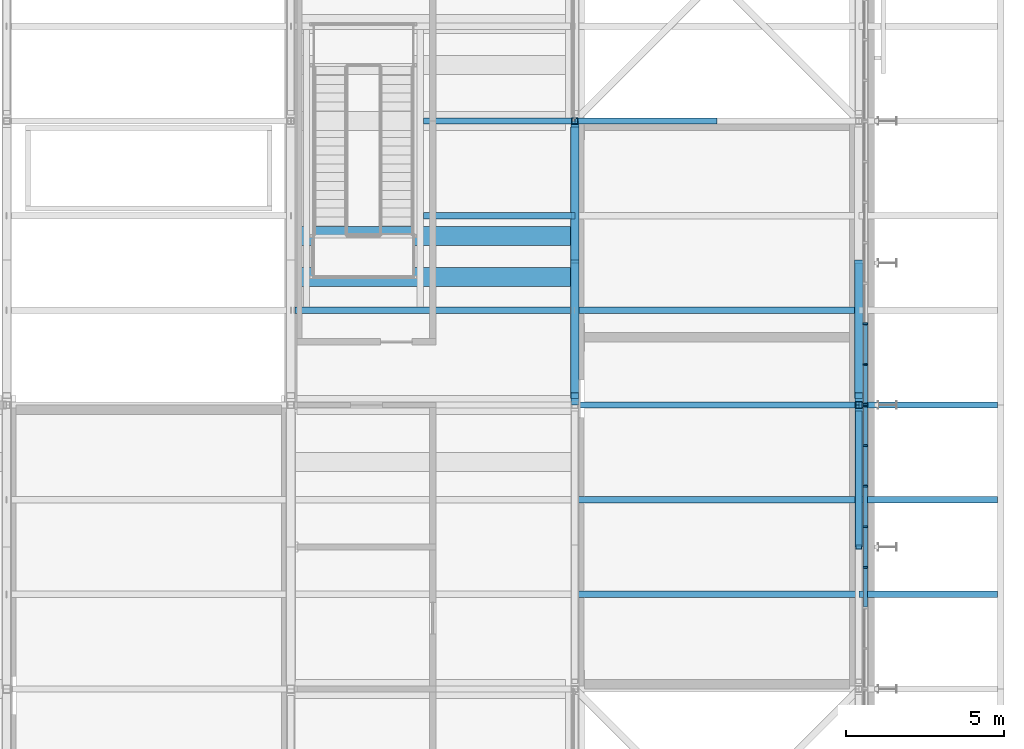
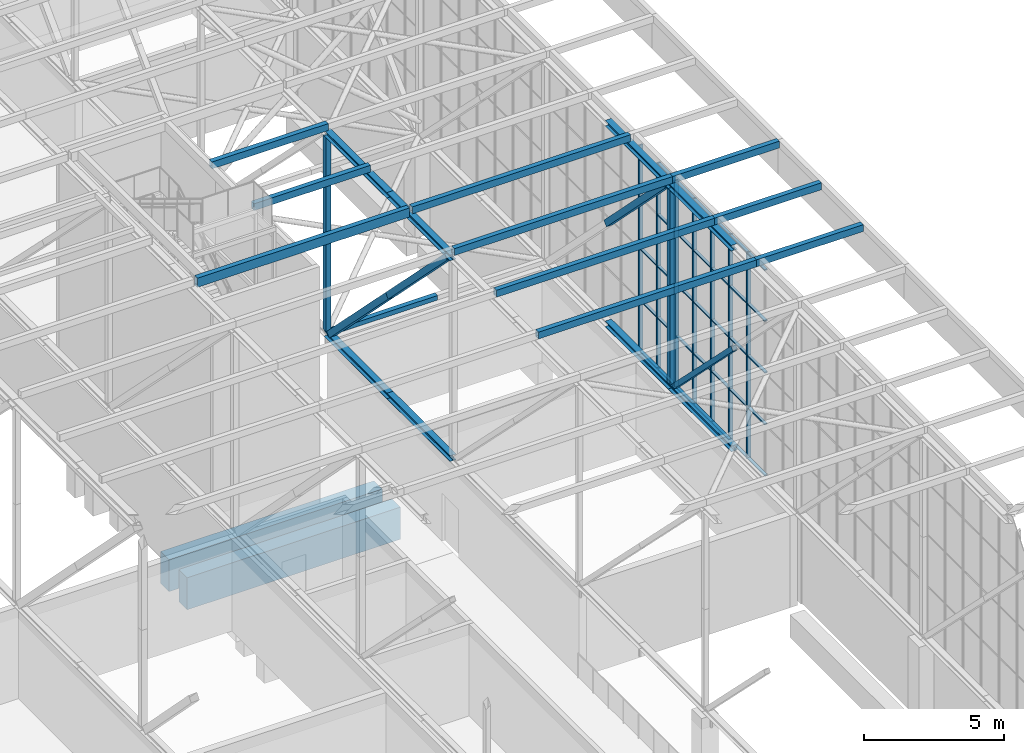
# One storey, part 95 of 646: 68 members, 2 beams, 2 elements without a shape of their own.
"""IFC4 building model written with IfcOpenShell, lengths in metres."""

from ifc_helpers import new_model, si_unit, direction, frame, origin, origin_2d, place, context, subcontext, project, spatial, rectangle, hollow_rectangle, i_section, extrude, material, material_profile, profile_set, type_object, element, aggregate, save


model = new_model("IFC4")

# Units and contexts
model_context = context("Model", 3, precision=1e-05, world=origin(), true_north=direction((0.0, 1.0)))
body_context = subcontext(model_context, "Body", "Model", "MODEL_VIEW")
ifc_project = project(units=[si_unit("LENGTHUNIT", "METRE"), si_unit("AREAUNIT", "SQUARE_METRE"), si_unit("VOLUMEUNIT", "CUBIC_METRE"), si_unit("PLANEANGLEUNIT", "RADIAN"), si_unit("MASSUNIT", "GRAM", prefix="KILO")], contexts=[model_context])

# Site, building, storey
site_placement = place(None, origin())
site = spatial("IfcSite", under=ifc_project, at=site_placement, CompositionType="ELEMENT")
building_placement = place(site_placement, origin())
building = spatial("IfcBuilding", under=site, at=building_placement, Name="Silverbay Arena", CompositionType="ELEMENT")
storey_placement = place(building_placement, frame((0.0, 0.0, 33.5)))
storey = spatial("IfcBuildingStorey", under=building, at=storey_placement, Name="L05", CompositionType="ELEMENT", Elevation=33.5)

# Member
ifc_material_1 = material(Name="Steel S355", Category="steel")
ifc_material_profile_1 = material_profile(ifc_material_1, hollow_rectangle(XDim=0.199951171875, YDim=0.199951171875, WallThickness=0.008056640625, at=origin_2d()), Name="SHS 200x200x8")
ifc_profile_set_1 = profile_set([ifc_material_profile_1], Name="Steel S355")
member_type_1 = type_object("IfcMemberType", Name="Bracing strut SHS 200x200x8", PredefinedType="STRUT", material=ifc_profile_set_1)
member_1_placement = place(storey_placement, frame((198.0, 72.0, 4.126953125), z_axis=(1.0, 0.0, 0.0), x_axis=(0.0, 1.0, 0.0)))
element("IfcMember", 1, at=member_1_placement, inside=storey, type_object=member_type_1, Name="ROOF BRACING strut 23-24 line 08a", PredefinedType="STRUT", context=body_context, shape_type="SweptSolid", body=[
    extrude(hollow_rectangle(XDim=0.199951171875, YDim=0.199951171875, WallThickness=0.008056640625, at=origin_2d()), origin(), (0.0, 0.0, 1.0), 4.5),
])

# Curtain wall, members
ifc_material_2 = material(Name="Aluminium framed glazing", Category="aluminium")
curtain_wall_type = type_object("IfcCurtainWallType", Name="Curtain wall clerestory 9000 x 9000", PredefinedType="NOTDEFINED", material=ifc_material_2)
curtain_wall_1_placement = place(storey_placement, origin())
curtain_wall_1 = element("IfcCurtainWall", 2, at=curtain_wall_1_placement, inside=storey, type_object=curtain_wall_type, Name="ROOF GABLE CLERESTORY CURTAIN WALL east bay 06", PredefinedType="NOTDEFINED")
ifc_material_3 = material(Name="Aluminium", Category="aluminium")
ifc_material_profile_2 = material_profile(ifc_material_3, rectangle(XDim=0.159912109375, YDim=0.06005859375, at=origin_2d()), Name="Mullion 60 x 160")
ifc_profile_set_2 = profile_set([ifc_material_profile_2], Name="Aluminium")
member_type_2 = type_object("IfcMemberType", Name="Mullion 60 x 160", PredefinedType="MULLION", material=ifc_profile_set_2)
member_2_placement = place(storey_placement, frame((207.2099609375, 57.857177734375, 4.0), z_axis=(0.0, 0.0, 1.0), x_axis=(-1.0, 0.0, 0.0)))
member_2 = element("IfcMember", 3, at=member_2_placement, type_object=member_type_2, Name="CW60 mullion 4", PredefinedType="MULLION", context=body_context, shape_type="SweptSolid", body=[
    extrude(rectangle(XDim=0.159912109375, YDim=0.06005859375, at=origin_2d()), origin(), (0.0, 0.0, 1.0), 9.0),
])
member_3_placement = place(storey_placement, frame((207.2099609375, 59.142822265625, 4.0), z_axis=(0.0, 0.0, 1.0), x_axis=(-1.0, 0.0, 0.0)))
member_3 = element("IfcMember", 4, at=member_3_placement, type_object=member_type_2, Name="CW60 mullion 5", PredefinedType="MULLION", context=body_context, shape_type="SweptSolid", body=[
    extrude(rectangle(XDim=0.159912109375, YDim=0.06005859375, at=origin_2d()), origin(), (0.0, 0.0, 1.0), 9.0),
])
member_4_placement = place(storey_placement, frame((207.2099609375, 60.428466796875, 4.0), z_axis=(0.0, 0.0, 1.0), x_axis=(-1.0, 0.0, 0.0)))
member_4 = element("IfcMember", 5, at=member_4_placement, type_object=member_type_2, Name="CW60 mullion 6", PredefinedType="MULLION", context=body_context, shape_type="SweptSolid", body=[
    extrude(rectangle(XDim=0.159912109375, YDim=0.06005859375, at=origin_2d()), origin(), (0.0, 0.0, 1.0), 9.0),
])
member_5_placement = place(storey_placement, frame((207.2099609375, 61.71435546875, 4.0), z_axis=(0.0, 0.0, 1.0), x_axis=(-1.0, 0.0, 0.0)))
member_5 = element("IfcMember", 6, at=member_5_placement, type_object=member_type_2, Name="CW60 mullion 7", PredefinedType="MULLION", context=body_context, shape_type="SweptSolid", body=[
    extrude(rectangle(XDim=0.159912109375, YDim=0.06005859375, at=origin_2d()), origin(), (0.0, 0.0, 1.0), 9.0),
])
member_6_placement = place(storey_placement, frame((207.2099609375, 62.969970703125, 4.0), z_axis=(0.0, 0.0, 1.0), x_axis=(-1.0, 0.0, 0.0)))
member_6 = element("IfcMember", 7, at=member_6_placement, type_object=member_type_2, Name="CW60 mullion 8", PredefinedType="MULLION", context=body_context, shape_type="SweptSolid", body=[
    extrude(rectangle(XDim=0.159912109375, YDim=0.06005859375, at=origin_2d()), origin(), (0.0, 0.0, 1.0), 9.0),
])

curtain_wall_2_placement = place(storey_placement, origin())
curtain_wall_2 = element("IfcCurtainWall", 8, at=curtain_wall_2_placement, inside=storey, type_object=curtain_wall_type, Name="ROOF GABLE CLERESTORY CURTAIN WALL east bay 07", PredefinedType="NOTDEFINED")
member_7_placement = place(storey_placement, frame((207.2099609375, 63.030029296875, 4.0), z_axis=(0.0, 0.0, 1.0), x_axis=(-1.0, 0.0, 0.0)))
member_7 = element("IfcMember", 9, at=member_7_placement, type_object=member_type_2, Name="CW60 mullion 1", PredefinedType="MULLION", context=body_context, shape_type="SweptSolid", body=[
    extrude(rectangle(XDim=0.159912109375, YDim=0.06005859375, at=origin_2d()), origin(), (0.0, 0.0, 1.0), 9.0),
])
member_8_placement = place(storey_placement, frame((207.2099609375, 64.28564453125, 4.0), z_axis=(0.0, 0.0, 1.0), x_axis=(-1.0, 0.0, 0.0)))
member_8 = element("IfcMember", 10, at=member_8_placement, type_object=member_type_2, Name="CW60 mullion 2", PredefinedType="MULLION", context=body_context, shape_type="SweptSolid", body=[
    extrude(rectangle(XDim=0.159912109375, YDim=0.06005859375, at=origin_2d()), origin(), (0.0, 0.0, 1.0), 9.0),
])
member_9_placement = place(storey_placement, frame((207.2099609375, 65.571533203125, 4.0), z_axis=(0.0, 0.0, 1.0), x_axis=(-1.0, 0.0, 0.0)))
member_9 = element("IfcMember", 11, at=member_9_placement, type_object=member_type_2, Name="CW60 mullion 3", PredefinedType="MULLION", context=body_context, shape_type="SweptSolid", body=[
    extrude(rectangle(XDim=0.159912109375, YDim=0.06005859375, at=origin_2d()), origin(), (0.0, 0.0, 1.0), 9.0),
])

# Members
ifc_material_4 = material(Name="Steel S355", Category="steel")
ifc_material_profile_3 = material_profile(ifc_material_4, hollow_rectangle(XDim=0.199951171875, YDim=0.300048828125, WallThickness=0.00634765625, at=origin_2d()), Name="RHS 300x200x6.3")
ifc_profile_set_3 = profile_set([ifc_material_profile_3], Name="Steel S355")
member_type_3 = type_object("IfcMemberType", Name="Purlin RHS 300x200x6.3", PredefinedType="PURLIN", material=ifc_profile_set_3)
for number, where, z_axis, x_axis, name in (
    (12, (193.199951171875, 69.0, 13.14990234375), (1.0, 0.0, 0.0), (0.0, 1.0, 0.0), "ROOF PURLIN 22-23 line 21 east of opening RA2"),
    (13, (193.199951171875, 72.0, 13.14990234375), (1.0, 0.0, 0.0), (0.0, 1.0, 0.0), "ROOF PURLIN 22-23 line 22 east of opening RA2"),
):
    element("IfcMember", number, at=place(storey_placement, frame(where, z_axis=z_axis, x_axis=x_axis)), inside=storey, type_object=member_type_3, Name=name, PredefinedType="PURLIN", context=body_context, shape_type="SweptSolid", body=[
        extrude(hollow_rectangle(XDim=0.199951171875, YDim=0.300048828125, WallThickness=0.00634765625, at=origin_2d()), origin(), (0.0, 0.0, 1.0), 4.800048828125),
    ])
ifc_material_5 = material(Name="Steel S355", Category="steel")
ifc_material_profile_4 = material_profile(ifc_material_5, hollow_rectangle(XDim=0.199951171875, YDim=0.300048828125, WallThickness=0.008056640625, at=origin_2d()), Name="RHS 300x200x8")
ifc_profile_set_4 = profile_set([ifc_material_profile_4], Name="Steel S355")
member_type_4 = type_object("IfcMemberType", Name="Purlin RHS 300x200x8", PredefinedType="PURLIN", material=ifc_profile_set_4)
for number, where, z_axis, x_axis, name in (
    (14, (198.0, 57.0, 13.14990234375), (1.0, 0.0, 0.0), (0.0, 1.0, 0.0), "ROOF PURLIN 23-24 line 17"),
    (15, (198.0, 60.0, 13.14990234375), (1.0, 0.0, 0.0), (0.0, 1.0, 0.0), "ROOF PURLIN 23-24 line 18"),
    (16, (198.0, 63.0, 13.14990234375), (1.0, 0.0, 0.0), (0.0, 1.0, 0.0), "ROOF PURLIN 23-24 line 19"),
    (17, (198.0, 66.0, 13.14990234375), (1.0, 0.0, 0.0), (0.0, 1.0, 0.0), "ROOF PURLIN 23-24 line 20"),
):
    element("IfcMember", number, at=place(storey_placement, frame(where, z_axis=z_axis, x_axis=x_axis)), inside=storey, type_object=member_type_4, Name=name, PredefinedType="PURLIN", context=body_context, shape_type="SweptSolid", body=[
        extrude(hollow_rectangle(XDim=0.199951171875, YDim=0.300048828125, WallThickness=0.008056640625, at=origin_2d()), origin(), (0.0, 0.0, 1.0), 9.0),
    ])
for number, where, z_axis, x_axis, name in (
    (18, (211.39990234375, 57.0, 13.14990234375), (-1.0, 0.0, 0.0), (0.0, -1.0, 0.0), "ROOF PURLIN east eave line 17"),
    (19, (211.39990234375, 60.0, 13.14990234375), (-1.0, 0.0, 0.0), (0.0, -1.0, 0.0), "ROOF PURLIN east eave line 18"),
    (20, (211.39990234375, 63.0, 13.14990234375), (-1.0, 0.0, 0.0), (0.0, -1.0, 0.0), "ROOF PURLIN east eave line 19"),
):
    element("IfcMember", number, at=place(storey_placement, frame(where, z_axis=z_axis, x_axis=x_axis)), inside=storey, type_object=member_type_4, Name=name, PredefinedType="PURLIN", context=body_context, shape_type="SweptSolid", body=[
        extrude(hollow_rectangle(XDim=0.199951171875, YDim=0.300048828125, WallThickness=0.008056640625, at=origin_2d()), origin(), (0.0, 0.0, 1.0), 4.39990234375),
    ])
ifc_material_6 = material(Name="Steel S355", Category="steel")
ifc_material_profile_5 = material_profile(ifc_material_6, hollow_rectangle(XDim=0.199951171875, YDim=0.39990234375, WallThickness=0.008056640625, at=origin_2d()), Name="RHS 400x200x8")
ifc_profile_set_5 = profile_set([ifc_material_profile_5], Name="Steel S355")
member_type_5 = type_object("IfcMemberType", Name="Purlin RHS 400x200x8", PredefinedType="PURLIN", material=ifc_profile_set_5)
member_10_placement = place(storey_placement, frame((189.12939453125, 66.0, 13.10009765625), z_axis=(1.0, 0.0, 0.0), x_axis=(0.0, 1.0, 0.0)))
element("IfcMember", 21, at=member_10_placement, inside=storey, type_object=member_type_5, Name="ROOF PURLIN 22-23 line 20", PredefinedType="PURLIN", context=body_context, shape_type="SweptSolid", body=[
    extrude(hollow_rectangle(XDim=0.199951171875, YDim=0.39990234375, WallThickness=0.008056640625, at=origin_2d()), origin(), (0.0, 0.0, 1.0), 8.743408203125),
])

# Beams
ifc_material_7 = material(Name="Concrete Grade C45", Category="concrete")
ifc_material_profile_6 = material_profile(ifc_material_7, rectangle(XDim=0.60009765625, YDim=1.39990234375, at=origin_2d()), Name="RC 600x1400")
ifc_profile_set_6 = profile_set([ifc_material_profile_6], Name="Concrete Grade C45")
beam_type = type_object("IfcBeamType", Name="RC transfer beam 600x1400", PredefinedType="BEAM", material=ifc_profile_set_6)
for number, where, z_axis, x_axis, name in (
    (22, (198.0, 67.050048828125, -1.0), (-1.0, 0.0, 0.0), (0.0, -1.0, 0.0), "Stair RA2 L05 to ROOF post transfer beam 1"),
    (23, (198.0, 68.35009765625, -1.0), (-1.0, 0.0, 0.0), (0.0, -1.0, 0.0), "Stair RA2 L05 to ROOF post transfer beam 2"),
):
    element("IfcBeam", number, at=place(storey_placement, frame(where, z_axis=z_axis, x_axis=x_axis)), inside=storey, type_object=beam_type, Name=name, PredefinedType="BEAM", context=body_context, shape_type="SweptSolid", body=[
        extrude(rectangle(XDim=0.60009765625, YDim=1.39990234375, at=origin_2d()), origin(), (0.0, 0.0, 1.0), 8.800048828125),
    ])

# Members
ifc_material_8 = material(Name="Steel S355", Category="steel")
ifc_material_profile_7 = material_profile(ifc_material_8, i_section(OverallWidth=0.254638671875, OverallDepth=0.254150390625, WebThickness=0.008544921875, FlangeThickness=0.01416015625, at=origin_2d()), Name="UC 254x254x73")
ifc_profile_set_7 = profile_set([ifc_material_profile_7], Name="Steel S355")
member_type_6 = type_object("IfcMemberType", Name="Short-span bottom chord UC 254x254x73", PredefinedType="CHORD", material=ifc_profile_set_7)
for number, where, z_axis, x_axis, name in (
    (24, (198.0, 63.0, 4.126953125), (0.0, 1.0, 0.0), (-1.0, 0.0, 0.0), "ROOF TRUSS 23 bottom chord 07a"),
    (25, (198.0, 67.5, 4.126953125), (0.0, 1.0, 0.0), (-1.0, 0.0, 0.0), "ROOF TRUSS 23 bottom chord 07b"),
    (26, (207.0, 58.5, 4.126953125), (0.0, 1.0, 0.0), (-1.0, 0.0, 0.0), "ROOF TRUSS 24 bottom chord 06b"),
    (27, (207.0, 63.0, 4.126953125), (0.0, 1.0, 0.0), (-1.0, 0.0, 0.0), "ROOF TRUSS 24 bottom chord 07a"),
):
    element("IfcMember", number, at=place(storey_placement, frame(where, z_axis=z_axis, x_axis=x_axis)), inside=storey, type_object=member_type_6, Name=name, PredefinedType="CHORD", context=body_context, shape_type="SweptSolid", body=[
        extrude(i_section(OverallWidth=0.254638671875, OverallDepth=0.254150390625, WebThickness=0.008544921875, FlangeThickness=0.01416015625, at=origin_2d()), origin(), (0.0, 0.0, 1.0), 4.5),
    ])
ifc_material_9 = material(Name="Steel S355", Category="steel")
ifc_material_profile_8 = material_profile(ifc_material_9, i_section(OverallWidth=0.254638671875, OverallDepth=0.254150390625, WebThickness=0.008544921875, FlangeThickness=0.01416015625, at=origin_2d()), Name="UC 254x254x73")
ifc_profile_set_8 = profile_set([ifc_material_profile_8], Name="Steel S355")
member_type_7 = type_object("IfcMemberType", Name="Short-span top chord UC 254x254x73", PredefinedType="CHORD", material=ifc_profile_set_8)
for number, where, z_axis, x_axis, name in (
    (28, (198.0, 63.0, 12.873046875), (0.0, 1.0, 0.0), (-1.0, 0.0, 0.0), "ROOF TRUSS 23 top chord 07a"),
    (29, (198.0, 67.5, 12.873046875), (0.0, 1.0, 0.0), (-1.0, 0.0, 0.0), "ROOF TRUSS 23 top chord 07b"),
    (30, (207.0, 58.5, 12.873046875), (0.0, 1.0, 0.0), (-1.0, 0.0, 0.0), "ROOF TRUSS 24 top chord 06b"),
    (31, (207.0, 63.0, 12.873046875), (0.0, 1.0, 0.0), (-1.0, 0.0, 0.0), "ROOF TRUSS 24 top chord 07a"),
):
    element("IfcMember", number, at=place(storey_placement, frame(where, z_axis=z_axis, x_axis=x_axis)), inside=storey, type_object=member_type_7, Name=name, PredefinedType="CHORD", context=body_context, shape_type="SweptSolid", body=[
        extrude(i_section(OverallWidth=0.254638671875, OverallDepth=0.254150390625, WebThickness=0.008544921875, FlangeThickness=0.01416015625, at=origin_2d()), origin(), (0.0, 0.0, 1.0), 4.5),
    ])
ifc_material_10 = material(Name="Steel S355", Category="steel")
ifc_material_profile_9 = material_profile(ifc_material_10, hollow_rectangle(XDim=0.199951171875, YDim=0.199951171875, WallThickness=0.008056640625, at=origin_2d()), Name="SHS 200x200x8")
ifc_profile_set_9 = profile_set([ifc_material_profile_9], Name="Steel S355")
member_type_8 = type_object("IfcMemberType", Name="Short-span truss diagonal SHS 200x200x8", PredefinedType="BRACE", material=ifc_profile_set_9)
member_11_placement = place(storey_placement, frame((207.0, 58.4951171875, 8.5), z_axis=(0.0, 0.707391224876, -0.706822223029), x_axis=(-1.0, 0.0, 0.0)))
element("IfcMember", 32, at=member_11_placement, inside=storey, type_object=member_type_8, Name="ROOF TRUSS 24 diagonal 06b", PredefinedType="BRACE", context=body_context, shape_type="SweptSolid", body=[
    extrude(hollow_rectangle(XDim=0.199951171875, YDim=0.199951171875, WallThickness=0.008056640625, at=origin_2d()), origin(), (0.0, 0.0, 1.0), 6.0068359375),
])
ifc_material_11 = material(Name="Steel S355", Category="steel")
ifc_material_profile_10 = material_profile(ifc_material_11, hollow_rectangle(XDim=0.260009765625, YDim=0.260009765625, WallThickness=0.010009765625, at=origin_2d()), Name="SHS 260x260x10")
ifc_profile_set_10 = profile_set([ifc_material_profile_10], Name="Steel S355")
member_type_9 = type_object("IfcMemberType", Name="Short-span truss diagonal SHS 260x260x10", PredefinedType="BRACE", material=ifc_profile_set_10)
for number, where, z_axis, x_axis, name in (
    (33, (198.0, 63.29931640625, 12.745849609375), (0.0, 0.703728402193, -0.710469095701), (-1.0, 0.0, 0.0), "ROOF TRUSS 23 diagonal 07a"),
    (34, (198.0, 67.5048828125, 8.5), (0.0, 0.703728402193, -0.710469095701), (-1.0, 0.0, 0.0), "ROOF TRUSS 23 diagonal 07b"),
    (35, (207.0, 63.29931640625, 12.745849609375), (0.0, 0.703728402193, -0.710469095701), (-1.0, 0.0, 0.0), "ROOF TRUSS 24 diagonal 07a"),
):
    element("IfcMember", number, at=place(storey_placement, frame(where, z_axis=z_axis, x_axis=x_axis)), inside=storey, type_object=member_type_9, Name=name, PredefinedType="BRACE", context=body_context, shape_type="SweptSolid", body=[
        extrude(hollow_rectangle(XDim=0.260009765625, YDim=0.260009765625, WallThickness=0.010009765625, at=origin_2d()), origin(), (0.0, 0.0, 1.0), 5.97607421875),
    ])
ifc_material_12 = material(Name="Steel S355", Category="steel")
ifc_material_profile_11 = material_profile(ifc_material_12, hollow_rectangle(XDim=0.199951171875, YDim=0.199951171875, WallThickness=0.008056640625, at=origin_2d()), Name="SHS 200x200x8")
ifc_profile_set_11 = profile_set([ifc_material_profile_11], Name="Steel S355")
member_type_10 = type_object("IfcMemberType", Name="Short-span truss vertical SHS 200x200x8", PredefinedType="STRUT", material=ifc_profile_set_11)
for number, where, z_axis, x_axis, name in (
    (36, (198.0, 72.0, 4.254150390625), (0.0, 0.0, 1.0), (1.0, 0.0, 0.0), "ROOF TRUSS 23 vertical 08a"),
    (37, (198.0, 72.0, 8.5), (0.0, 0.0, 1.0), (1.0, 0.0, 0.0), "ROOF TRUSS 23 vertical 08b"),
):
    element("IfcMember", number, at=place(storey_placement, frame(where, z_axis=z_axis, x_axis=x_axis)), inside=storey, type_object=member_type_10, Name=name, PredefinedType="STRUT", context=body_context, shape_type="SweptSolid", body=[
        extrude(hollow_rectangle(XDim=0.199951171875, YDim=0.199951171875, WallThickness=0.008056640625, at=origin_2d()), origin(), (0.0, 0.0, 1.0), 4.245849609375),
    ])
ifc_material_13 = material(Name="Steel S355", Category="steel")
ifc_material_profile_12 = material_profile(ifc_material_13, hollow_rectangle(XDim=0.219970703125, YDim=0.219970703125, WallThickness=0.008056640625, at=origin_2d()), Name="SHS 220x220x8")
ifc_profile_set_12 = profile_set([ifc_material_profile_12], Name="Steel S355")
member_type_11 = type_object("IfcMemberType", Name="Short-span truss vertical SHS 220x220x8", PredefinedType="STRUT", material=ifc_profile_set_12)
for number, where, z_axis, x_axis, name in (
    (38, (207.0, 63.0, 4.254150390625), (0.0, 0.0, 1.0), (1.0, 0.0, 0.0), "ROOF TRUSS 24 vertical 07a"),
    (39, (207.0, 63.0, 8.5), (0.0, 0.0, 1.0), (1.0, 0.0, 0.0), "ROOF TRUSS 24 vertical 07b"),
):
    element("IfcMember", number, at=place(storey_placement, frame(where, z_axis=z_axis, x_axis=x_axis)), inside=storey, type_object=member_type_11, Name=name, PredefinedType="STRUT", context=body_context, shape_type="SweptSolid", body=[
        extrude(hollow_rectangle(XDim=0.219970703125, YDim=0.219970703125, WallThickness=0.008056640625, at=origin_2d()), origin(), (0.0, 0.0, 1.0), 4.245849609375),
    ])

# Member
ifc_material_14 = material(Name="Aluminium", Category="aluminium")
ifc_material_profile_13 = material_profile(ifc_material_14, rectangle(XDim=0.1201171875, YDim=0.050048828125, at=origin_2d()), Name="Transom 50 x 120")
ifc_profile_set_13 = profile_set([ifc_material_profile_13], Name="Aluminium")
member_type_12 = type_object("IfcMemberType", Name="Transom 50 x 120", PredefinedType="USERDEFINED", material=ifc_profile_set_13)
member_12_placement = place(storey_placement, frame((207.2099609375, 56.601318359375, 4.02490234375), z_axis=(0.0, 1.0, 0.0), x_axis=(-1.0, 0.0, 0.0)))
member_12 = element("IfcMember", 40, at=member_12_placement, type_object=member_type_12, Name="CW60 transom 3.1", ObjectType="TRANSOM", PredefinedType="USERDEFINED", context=body_context, shape_type="SweptSolid", body=[
    extrude(rectangle(XDim=0.1201171875, YDim=0.050048828125, at=origin_2d()), origin(), (0.0, 0.0, 1.0), 1.225830078125),
])

member_13_placement = place(storey_placement, frame((207.2099609375, 56.601318359375, 6.25), z_axis=(0.0, 1.0, 0.0), x_axis=(-1.0, 0.0, 0.0)))
member_13 = element("IfcMember", 41, at=member_13_placement, type_object=member_type_12, Name="CW60 transom 3.2", ObjectType="TRANSOM", PredefinedType="USERDEFINED", context=body_context, shape_type="SweptSolid", body=[
    extrude(rectangle(XDim=0.1201171875, YDim=0.050048828125, at=origin_2d()), origin(), (0.0, 0.0, 1.0), 1.225830078125),
])

member_14_placement = place(storey_placement, frame((207.2099609375, 56.601318359375, 8.5), z_axis=(0.0, 1.0, 0.0), x_axis=(-1.0, 0.0, 0.0)))
member_14 = element("IfcMember", 42, at=member_14_placement, type_object=member_type_12, Name="CW60 transom 3.3", ObjectType="TRANSOM", PredefinedType="USERDEFINED", context=body_context, shape_type="SweptSolid", body=[
    extrude(rectangle(XDim=0.1201171875, YDim=0.050048828125, at=origin_2d()), origin(), (0.0, 0.0, 1.0), 1.225830078125),
])

member_15_placement = place(storey_placement, frame((207.2099609375, 56.601318359375, 10.75), z_axis=(0.0, 1.0, 0.0), x_axis=(-1.0, 0.0, 0.0)))
member_15 = element("IfcMember", 43, at=member_15_placement, type_object=member_type_12, Name="CW60 transom 3.4", ObjectType="TRANSOM", PredefinedType="USERDEFINED", context=body_context, shape_type="SweptSolid", body=[
    extrude(rectangle(XDim=0.1201171875, YDim=0.050048828125, at=origin_2d()), origin(), (0.0, 0.0, 1.0), 1.225830078125),
])

member_16_placement = place(storey_placement, frame((207.2099609375, 56.601318359375, 12.97509765625), z_axis=(0.0, 1.0, 0.0), x_axis=(-1.0, 0.0, 0.0)))
member_16 = element("IfcMember", 44, at=member_16_placement, type_object=member_type_12, Name="CW60 transom 3.5", ObjectType="TRANSOM", PredefinedType="USERDEFINED", context=body_context, shape_type="SweptSolid", body=[
    extrude(rectangle(XDim=0.1201171875, YDim=0.050048828125, at=origin_2d()), origin(), (0.0, 0.0, 1.0), 1.225830078125),
])

member_17_placement = place(storey_placement, frame((207.2099609375, 57.88720703125, 4.02490234375), z_axis=(0.0, 1.0, 0.0), x_axis=(-1.0, 0.0, 0.0)))
member_17 = element("IfcMember", 45, at=member_17_placement, type_object=member_type_12, Name="CW60 transom 4.1", ObjectType="TRANSOM", PredefinedType="USERDEFINED", context=body_context, shape_type="SweptSolid", body=[
    extrude(rectangle(XDim=0.1201171875, YDim=0.050048828125, at=origin_2d()), origin(), (0.0, 0.0, 1.0), 1.2255859375),
])

member_18_placement = place(storey_placement, frame((207.2099609375, 57.88720703125, 6.25), z_axis=(0.0, 1.0, 0.0), x_axis=(-1.0, 0.0, 0.0)))
member_18 = element("IfcMember", 46, at=member_18_placement, type_object=member_type_12, Name="CW60 transom 4.2", ObjectType="TRANSOM", PredefinedType="USERDEFINED", context=body_context, shape_type="SweptSolid", body=[
    extrude(rectangle(XDim=0.1201171875, YDim=0.050048828125, at=origin_2d()), origin(), (0.0, 0.0, 1.0), 1.2255859375),
])

member_19_placement = place(storey_placement, frame((207.2099609375, 57.88720703125, 8.5), z_axis=(0.0, 1.0, 0.0), x_axis=(-1.0, 0.0, 0.0)))
member_19 = element("IfcMember", 47, at=member_19_placement, type_object=member_type_12, Name="CW60 transom 4.3", ObjectType="TRANSOM", PredefinedType="USERDEFINED", context=body_context, shape_type="SweptSolid", body=[
    extrude(rectangle(XDim=0.1201171875, YDim=0.050048828125, at=origin_2d()), origin(), (0.0, 0.0, 1.0), 1.2255859375),
])

member_20_placement = place(storey_placement, frame((207.2099609375, 57.88720703125, 10.75), z_axis=(0.0, 1.0, 0.0), x_axis=(-1.0, 0.0, 0.0)))
member_20 = element("IfcMember", 48, at=member_20_placement, type_object=member_type_12, Name="CW60 transom 4.4", ObjectType="TRANSOM", PredefinedType="USERDEFINED", context=body_context, shape_type="SweptSolid", body=[
    extrude(rectangle(XDim=0.1201171875, YDim=0.050048828125, at=origin_2d()), origin(), (0.0, 0.0, 1.0), 1.2255859375),
])

member_21_placement = place(storey_placement, frame((207.2099609375, 57.88720703125, 12.97509765625), z_axis=(0.0, 1.0, 0.0), x_axis=(-1.0, 0.0, 0.0)))
member_21 = element("IfcMember", 49, at=member_21_placement, type_object=member_type_12, Name="CW60 transom 4.5", ObjectType="TRANSOM", PredefinedType="USERDEFINED", context=body_context, shape_type="SweptSolid", body=[
    extrude(rectangle(XDim=0.1201171875, YDim=0.050048828125, at=origin_2d()), origin(), (0.0, 0.0, 1.0), 1.2255859375),
])

member_22_placement = place(storey_placement, frame((207.2099609375, 59.1728515625, 4.02490234375), z_axis=(0.0, 1.0, 0.0), x_axis=(-1.0, 0.0, 0.0)))
member_22 = element("IfcMember", 50, at=member_22_placement, type_object=member_type_12, Name="CW60 transom 5.1", ObjectType="TRANSOM", PredefinedType="USERDEFINED", context=body_context, shape_type="SweptSolid", body=[
    extrude(rectangle(XDim=0.1201171875, YDim=0.050048828125, at=origin_2d()), origin(), (0.0, 0.0, 1.0), 1.225830078125),
])

member_23_placement = place(storey_placement, frame((207.2099609375, 59.1728515625, 6.25), z_axis=(0.0, 1.0, 0.0), x_axis=(-1.0, 0.0, 0.0)))
member_23 = element("IfcMember", 51, at=member_23_placement, type_object=member_type_12, Name="CW60 transom 5.2", ObjectType="TRANSOM", PredefinedType="USERDEFINED", context=body_context, shape_type="SweptSolid", body=[
    extrude(rectangle(XDim=0.1201171875, YDim=0.050048828125, at=origin_2d()), origin(), (0.0, 0.0, 1.0), 1.225830078125),
])

member_24_placement = place(storey_placement, frame((207.2099609375, 59.1728515625, 8.5), z_axis=(0.0, 1.0, 0.0), x_axis=(-1.0, 0.0, 0.0)))
member_24 = element("IfcMember", 52, at=member_24_placement, type_object=member_type_12, Name="CW60 transom 5.3", ObjectType="TRANSOM", PredefinedType="USERDEFINED", context=body_context, shape_type="SweptSolid", body=[
    extrude(rectangle(XDim=0.1201171875, YDim=0.050048828125, at=origin_2d()), origin(), (0.0, 0.0, 1.0), 1.225830078125),
])

member_25_placement = place(storey_placement, frame((207.2099609375, 59.1728515625, 10.75), z_axis=(0.0, 1.0, 0.0), x_axis=(-1.0, 0.0, 0.0)))
member_25 = element("IfcMember", 53, at=member_25_placement, type_object=member_type_12, Name="CW60 transom 5.4", ObjectType="TRANSOM", PredefinedType="USERDEFINED", context=body_context, shape_type="SweptSolid", body=[
    extrude(rectangle(XDim=0.1201171875, YDim=0.050048828125, at=origin_2d()), origin(), (0.0, 0.0, 1.0), 1.225830078125),
])

member_26_placement = place(storey_placement, frame((207.2099609375, 59.1728515625, 12.97509765625), z_axis=(0.0, 1.0, 0.0), x_axis=(-1.0, 0.0, 0.0)))
member_26 = element("IfcMember", 54, at=member_26_placement, type_object=member_type_12, Name="CW60 transom 5.5", ObjectType="TRANSOM", PredefinedType="USERDEFINED", context=body_context, shape_type="SweptSolid", body=[
    extrude(rectangle(XDim=0.1201171875, YDim=0.050048828125, at=origin_2d()), origin(), (0.0, 0.0, 1.0), 1.225830078125),
])

member_27_placement = place(storey_placement, frame((207.2099609375, 60.45849609375, 4.02490234375), z_axis=(0.0, 1.0, 0.0), x_axis=(-1.0, 0.0, 0.0)))
member_27 = element("IfcMember", 55, at=member_27_placement, type_object=member_type_12, Name="CW60 transom 6.1", ObjectType="TRANSOM", PredefinedType="USERDEFINED", context=body_context, shape_type="SweptSolid", body=[
    extrude(rectangle(XDim=0.1201171875, YDim=0.050048828125, at=origin_2d()), origin(), (0.0, 0.0, 1.0), 1.225830078125),
])

member_28_placement = place(storey_placement, frame((207.2099609375, 60.45849609375, 6.25), z_axis=(0.0, 1.0, 0.0), x_axis=(-1.0, 0.0, 0.0)))
member_28 = element("IfcMember", 56, at=member_28_placement, type_object=member_type_12, Name="CW60 transom 6.2", ObjectType="TRANSOM", PredefinedType="USERDEFINED", context=body_context, shape_type="SweptSolid", body=[
    extrude(rectangle(XDim=0.1201171875, YDim=0.050048828125, at=origin_2d()), origin(), (0.0, 0.0, 1.0), 1.225830078125),
])

member_29_placement = place(storey_placement, frame((207.2099609375, 60.45849609375, 8.5), z_axis=(0.0, 1.0, 0.0), x_axis=(-1.0, 0.0, 0.0)))
member_29 = element("IfcMember", 57, at=member_29_placement, type_object=member_type_12, Name="CW60 transom 6.3", ObjectType="TRANSOM", PredefinedType="USERDEFINED", context=body_context, shape_type="SweptSolid", body=[
    extrude(rectangle(XDim=0.1201171875, YDim=0.050048828125, at=origin_2d()), origin(), (0.0, 0.0, 1.0), 1.225830078125),
])

member_30_placement = place(storey_placement, frame((207.2099609375, 60.45849609375, 10.75), z_axis=(0.0, 1.0, 0.0), x_axis=(-1.0, 0.0, 0.0)))
member_30 = element("IfcMember", 58, at=member_30_placement, type_object=member_type_12, Name="CW60 transom 6.4", ObjectType="TRANSOM", PredefinedType="USERDEFINED", context=body_context, shape_type="SweptSolid", body=[
    extrude(rectangle(XDim=0.1201171875, YDim=0.050048828125, at=origin_2d()), origin(), (0.0, 0.0, 1.0), 1.225830078125),
])

member_31_placement = place(storey_placement, frame((207.2099609375, 60.45849609375, 12.97509765625), z_axis=(0.0, 1.0, 0.0), x_axis=(-1.0, 0.0, 0.0)))
member_31 = element("IfcMember", 59, at=member_31_placement, type_object=member_type_12, Name="CW60 transom 6.5", ObjectType="TRANSOM", PredefinedType="USERDEFINED", context=body_context, shape_type="SweptSolid", body=[
    extrude(rectangle(XDim=0.1201171875, YDim=0.050048828125, at=origin_2d()), origin(), (0.0, 0.0, 1.0), 1.225830078125),
])

member_32_placement = place(storey_placement, frame((207.2099609375, 61.744384765625, 4.02490234375), z_axis=(0.0, 1.0, 0.0), x_axis=(-1.0, 0.0, 0.0)))
member_32 = element("IfcMember", 60, at=member_32_placement, type_object=member_type_12, Name="CW60 transom 7.1", ObjectType="TRANSOM", PredefinedType="USERDEFINED", context=body_context, shape_type="SweptSolid", body=[
    extrude(rectangle(XDim=0.1201171875, YDim=0.050048828125, at=origin_2d()), origin(), (0.0, 0.0, 1.0), 1.195556640625),
])

member_33_placement = place(storey_placement, frame((207.2099609375, 61.744384765625, 6.25), z_axis=(0.0, 1.0, 0.0), x_axis=(-1.0, 0.0, 0.0)))
member_33 = element("IfcMember", 61, at=member_33_placement, type_object=member_type_12, Name="CW60 transom 7.2", ObjectType="TRANSOM", PredefinedType="USERDEFINED", context=body_context, shape_type="SweptSolid", body=[
    extrude(rectangle(XDim=0.1201171875, YDim=0.050048828125, at=origin_2d()), origin(), (0.0, 0.0, 1.0), 1.195556640625),
])

member_34_placement = place(storey_placement, frame((207.2099609375, 61.744384765625, 8.5), z_axis=(0.0, 1.0, 0.0), x_axis=(-1.0, 0.0, 0.0)))
member_34 = element("IfcMember", 62, at=member_34_placement, type_object=member_type_12, Name="CW60 transom 7.3", ObjectType="TRANSOM", PredefinedType="USERDEFINED", context=body_context, shape_type="SweptSolid", body=[
    extrude(rectangle(XDim=0.1201171875, YDim=0.050048828125, at=origin_2d()), origin(), (0.0, 0.0, 1.0), 1.195556640625),
])

member_35_placement = place(storey_placement, frame((207.2099609375, 61.744384765625, 10.75), z_axis=(0.0, 1.0, 0.0), x_axis=(-1.0, 0.0, 0.0)))
member_35 = element("IfcMember", 63, at=member_35_placement, type_object=member_type_12, Name="CW60 transom 7.4", ObjectType="TRANSOM", PredefinedType="USERDEFINED", context=body_context, shape_type="SweptSolid", body=[
    extrude(rectangle(XDim=0.1201171875, YDim=0.050048828125, at=origin_2d()), origin(), (0.0, 0.0, 1.0), 1.195556640625),
])

member_36_placement = place(storey_placement, frame((207.2099609375, 61.744384765625, 12.97509765625), z_axis=(0.0, 1.0, 0.0), x_axis=(-1.0, 0.0, 0.0)))
member_36 = element("IfcMember", 64, at=member_36_placement, type_object=member_type_12, Name="CW60 transom 7.5", ObjectType="TRANSOM", PredefinedType="USERDEFINED", context=body_context, shape_type="SweptSolid", body=[
    extrude(rectangle(XDim=0.1201171875, YDim=0.050048828125, at=origin_2d()), origin(), (0.0, 0.0, 1.0), 1.195556640625),
])

aggregate(curtain_wall_1, [member_2, member_3, member_4, member_5, member_6, member_12, member_13, member_14, member_15, member_16, member_17, member_18, member_19, member_20, member_21, member_22, member_23, member_24, member_25, member_26, member_27, member_28, member_29, member_30, member_31, member_32, member_33, member_34, member_35, member_36])

member_37_placement = place(storey_placement, frame((207.2099609375, 63.06005859375, 4.02490234375), z_axis=(0.0, 1.0, 0.0), x_axis=(-1.0, 0.0, 0.0)))
member_37 = element("IfcMember", 65, at=member_37_placement, type_object=member_type_12, Name="CW60 transom 1.1", ObjectType="TRANSOM", PredefinedType="USERDEFINED", context=body_context, shape_type="SweptSolid", body=[
    extrude(rectangle(XDim=0.1201171875, YDim=0.050048828125, at=origin_2d()), origin(), (0.0, 0.0, 1.0), 1.195556640625),
])

member_38_placement = place(storey_placement, frame((207.2099609375, 63.06005859375, 6.25), z_axis=(0.0, 1.0, 0.0), x_axis=(-1.0, 0.0, 0.0)))
member_38 = element("IfcMember", 66, at=member_38_placement, type_object=member_type_12, Name="CW60 transom 1.2", ObjectType="TRANSOM", PredefinedType="USERDEFINED", context=body_context, shape_type="SweptSolid", body=[
    extrude(rectangle(XDim=0.1201171875, YDim=0.050048828125, at=origin_2d()), origin(), (0.0, 0.0, 1.0), 1.195556640625),
])

member_39_placement = place(storey_placement, frame((207.2099609375, 63.06005859375, 8.5), z_axis=(0.0, 1.0, 0.0), x_axis=(-1.0, 0.0, 0.0)))
member_39 = element("IfcMember", 67, at=member_39_placement, type_object=member_type_12, Name="CW60 transom 1.3", ObjectType="TRANSOM", PredefinedType="USERDEFINED", context=body_context, shape_type="SweptSolid", body=[
    extrude(rectangle(XDim=0.1201171875, YDim=0.050048828125, at=origin_2d()), origin(), (0.0, 0.0, 1.0), 1.195556640625),
])

member_40_placement = place(storey_placement, frame((207.2099609375, 63.06005859375, 10.75), z_axis=(0.0, 1.0, 0.0), x_axis=(-1.0, 0.0, 0.0)))
member_40 = element("IfcMember", 68, at=member_40_placement, type_object=member_type_12, Name="CW60 transom 1.4", ObjectType="TRANSOM", PredefinedType="USERDEFINED", context=body_context, shape_type="SweptSolid", body=[
    extrude(rectangle(XDim=0.1201171875, YDim=0.050048828125, at=origin_2d()), origin(), (0.0, 0.0, 1.0), 1.195556640625),
])

member_41_placement = place(storey_placement, frame((207.2099609375, 63.06005859375, 12.97509765625), z_axis=(0.0, 1.0, 0.0), x_axis=(-1.0, 0.0, 0.0)))
member_41 = element("IfcMember", 69, at=member_41_placement, type_object=member_type_12, Name="CW60 transom 1.5", ObjectType="TRANSOM", PredefinedType="USERDEFINED", context=body_context, shape_type="SweptSolid", body=[
    extrude(rectangle(XDim=0.1201171875, YDim=0.050048828125, at=origin_2d()), origin(), (0.0, 0.0, 1.0), 1.195556640625),
])

member_42_placement = place(storey_placement, frame((207.2099609375, 64.315673828125, 4.02490234375), z_axis=(0.0, 1.0, 0.0), x_axis=(-1.0, 0.0, 0.0)))
member_42 = element("IfcMember", 70, at=member_42_placement, type_object=member_type_12, Name="CW60 transom 2.1", ObjectType="TRANSOM", PredefinedType="USERDEFINED", context=body_context, shape_type="SweptSolid", body=[
    extrude(rectangle(XDim=0.1201171875, YDim=0.050048828125, at=origin_2d()), origin(), (0.0, 0.0, 1.0), 1.225830078125),
])

member_43_placement = place(storey_placement, frame((207.2099609375, 64.315673828125, 6.25), z_axis=(0.0, 1.0, 0.0), x_axis=(-1.0, 0.0, 0.0)))
member_43 = element("IfcMember", 71, at=member_43_placement, type_object=member_type_12, Name="CW60 transom 2.2", ObjectType="TRANSOM", PredefinedType="USERDEFINED", context=body_context, shape_type="SweptSolid", body=[
    extrude(rectangle(XDim=0.1201171875, YDim=0.050048828125, at=origin_2d()), origin(), (0.0, 0.0, 1.0), 1.225830078125),
])

member_44_placement = place(storey_placement, frame((207.2099609375, 64.315673828125, 8.5), z_axis=(0.0, 1.0, 0.0), x_axis=(-1.0, 0.0, 0.0)))
member_44 = element("IfcMember", 72, at=member_44_placement, type_object=member_type_12, Name="CW60 transom 2.3", ObjectType="TRANSOM", PredefinedType="USERDEFINED", context=body_context, shape_type="SweptSolid", body=[
    extrude(rectangle(XDim=0.1201171875, YDim=0.050048828125, at=origin_2d()), origin(), (0.0, 0.0, 1.0), 1.225830078125),
])

aggregate(curtain_wall_2, [member_7, member_8, member_9, member_37, member_38, member_39, member_40, member_41, member_42, member_43, member_44])

save(model, "model.ifc")
